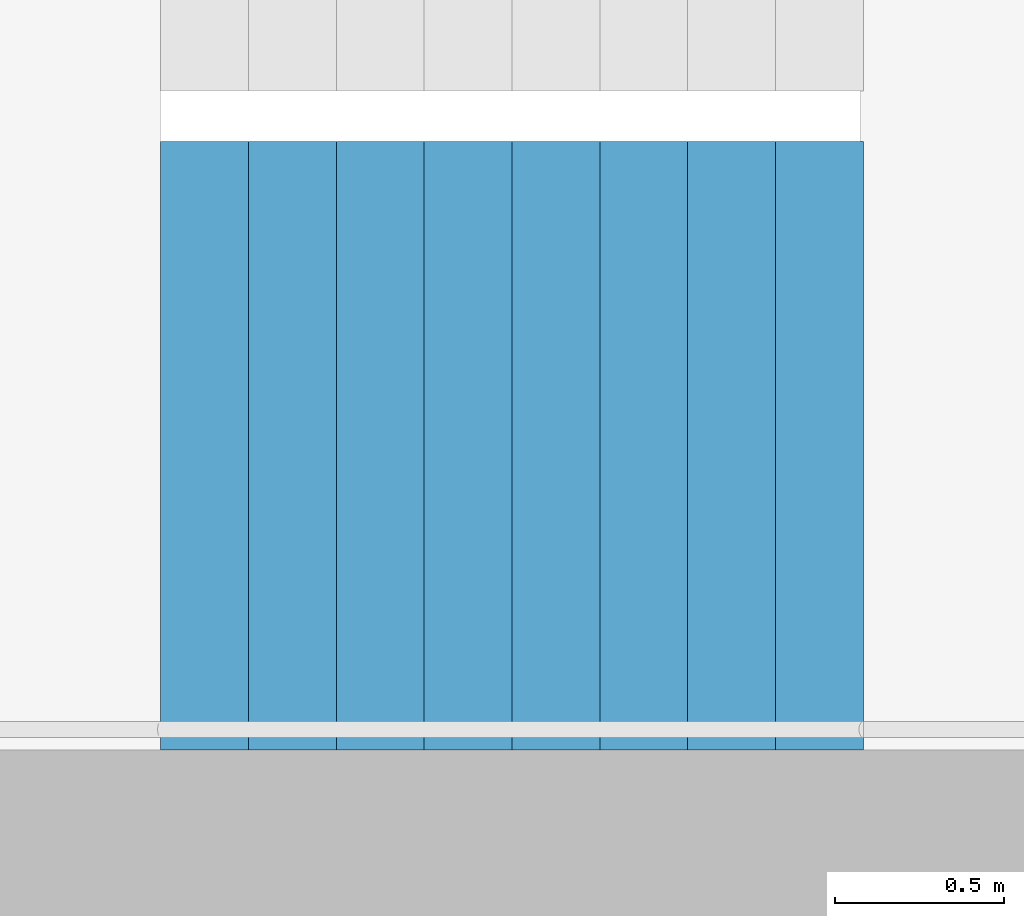
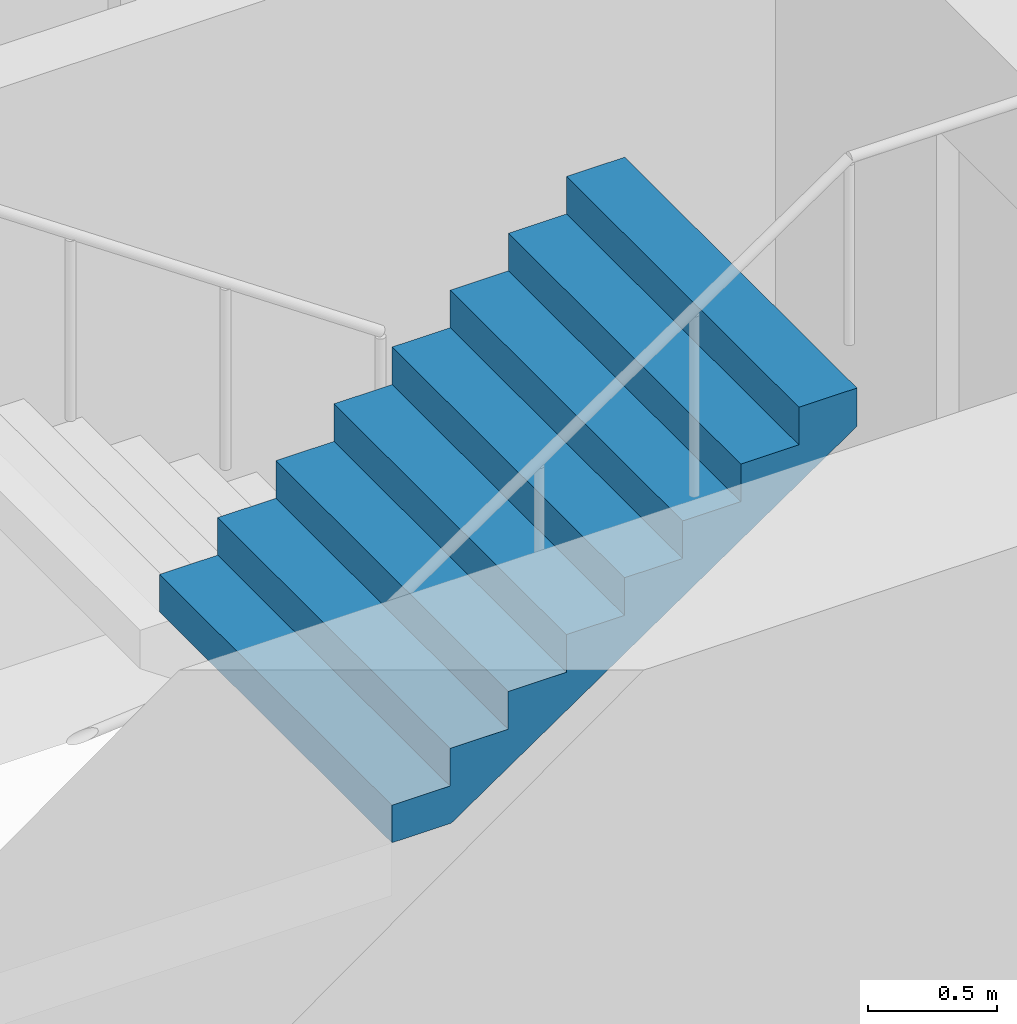
# One storey, part 18 of 26: 1 stair flight, 1 element without a shape of its own.
"""IFC4 building model written with IfcOpenShell, lengths in metres."""

from ifc_helpers import new_model, si_unit, direction, frame, origin, place, context, subcontext, project, spatial, triangles, material, type_object, element, aggregate, save


model = new_model("IFC4")

# Units and contexts
model_context = context("Model", 3, precision=1e-05, world=origin(), true_north=direction((0.0, 1.0)))
body_context = subcontext(model_context, "Body", "Model", "MODEL_VIEW")
ifc_project = project(units=[si_unit("LENGTHUNIT", "METRE"), si_unit("AREAUNIT", "SQUARE_METRE"), si_unit("VOLUMEUNIT", "CUBIC_METRE"), si_unit("PLANEANGLEUNIT", "RADIAN"), si_unit("MASSUNIT", "GRAM", prefix="KILO")], contexts=[model_context])

# Site, building, storey
site_placement = place(None, origin())
site = spatial("IfcSite", under=ifc_project, at=site_placement, CompositionType="ELEMENT")
building_placement = place(site_placement, origin())
building = spatial("IfcBuilding", under=site, at=building_placement, Name="Hakoniwa Tower and Hamabe Station Hall", CompositionType="ELEMENT")
storey_placement = place(building_placement, frame((0.0, 0.0, 221.800048828125)))
storey = spatial("IfcBuildingStorey", under=building, at=storey_placement, Name="L63", CompositionType="ELEMENT", Elevation=221.800048828125)

# Stair, stair flight
ifc_material_1 = material(Name="Concrete C40", Category="concrete")
stair_type = type_object("IfcStairType", Name="ESCAPE STAIR 1800", PredefinedType="HALF_TURN_STAIR", material=ifc_material_1)
stair_placement = place(storey_placement, origin())
stair = element("IfcStair", 1, at=stair_placement, inside=storey, type_object=stair_type, Name="Escape stair ST-2 L63", PredefinedType="HALF_TURN_STAIR")
ifc_material_2 = material(Name="Concrete C40", Category="concrete")
stair_flight_type = type_object("IfcStairFlightType", Name="STAIR FLIGHT 1800", PredefinedType="STRAIGHT", material=ifc_material_2)
stair_flight_placement = place(storey_placement, frame((-25.47998046875, -6.60009765625, 1.599853515625), z_axis=(0.0, 0.0, 1.0), x_axis=(1.0, 0.0, 0.0)))
stair_flight = element("IfcStairFlight", 2, at=stair_flight_placement, type_object=stair_flight_type, Name="ST-2 flight 2", NumberOfRisers=9, NumberOfTreads=8, PredefinedType="STRAIGHT", RiserHeight=0.177777778, TreadLength=0.26, context=body_context, shape_type="Tessellation", body=[
    triangles([(0.0, 0.89990234375, 0.0), (0.260009765625, 0.89990234375, 0.0), (0.265625, 0.89990234375, 0.0), (0.52001953125, 0.89990234375, 0.174072265625), (0.780029296875, 0.89990234375, 0.351806640625), (1.0400390625, 0.89990234375, 0.529541015625), (1.300048828125, 0.89990234375, 0.707275390625), (1.56005859375, 0.89990234375, 0.885009765625), (1.820068359375, 0.89990234375, 1.062744140625), (2.080078125, 0.89990234375, 1.24072265625), (2.080078125, 0.89990234375, 1.422119140625), (1.820068359375, 0.89990234375, 1.422119140625), (1.820068359375, 0.89990234375, 1.244384765625), (1.56005859375, 0.89990234375, 1.244384765625), (1.56005859375, 0.89990234375, 1.066650390625), (1.300048828125, 0.89990234375, 1.066650390625), (1.300048828125, 0.89990234375, 0.888916015625), (1.0400390625, 0.89990234375, 0.888916015625), (1.0400390625, 0.89990234375, 0.711181640625), (0.780029296875, 0.89990234375, 0.711181640625), (0.780029296875, 0.89990234375, 0.533447265625), (0.52001953125, 0.89990234375, 0.533447265625), (0.52001953125, 0.89990234375, 0.35546875), (0.265625, 0.89990234375, 0.35546875), (0.260009765625, 0.89990234375, 0.35546875), (0.260009765625, 0.89990234375, 0.177734375), (0.0, 0.89990234375, 0.177734375), (0.0, 0.06005859375, 0.0), (0.260009765625, 0.06005859375, 0.0), (0.265625, 0.06005859375, 0.0), (0.52001953125, 0.06005859375, 0.174072265625), (0.780029296875, 0.06005859375, 0.351806640625), (1.0400390625, 0.06005859375, 0.529541015625), (1.300048828125, 0.06005859375, 0.707275390625), (1.56005859375, 0.06005859375, 0.885009765625), (1.820068359375, 0.06005859375, 1.062744140625), (2.080078125, 0.06005859375, 1.24072265625), (2.080078125, 0.06005859375, 1.422119140625), (1.820068359375, 0.06005859375, 1.422119140625), (1.820068359375, 0.06005859375, 1.244384765625), (1.56005859375, 0.06005859375, 1.244384765625), (1.56005859375, 0.06005859375, 1.066650390625), (1.300048828125, 0.06005859375, 1.066650390625), (1.300048828125, 0.06005859375, 0.888916015625), (1.0400390625, 0.06005859375, 0.888916015625), (1.0400390625, 0.06005859375, 0.711181640625), (0.780029296875, 0.06005859375, 0.711181640625), (0.780029296875, 0.06005859375, 0.533447265625), (0.52001953125, 0.06005859375, 0.533447265625), (0.52001953125, 0.06005859375, 0.35546875), (0.265625, 0.06005859375, 0.35546875), (0.260009765625, 0.06005859375, 0.35546875), (0.260009765625, 0.06005859375, 0.177734375), (0.0, 0.06005859375, 0.177734375), (0.0, 0.04296875, 0.0), (0.260009765625, 0.04296875, 0.0), (0.265625, 0.04296875, 0.0), (0.52001953125, 0.04296875, 0.174072265625), (0.780029296875, 0.04296875, 0.351806640625), (1.0400390625, 0.04296875, 0.529541015625), (1.300048828125, 0.04296875, 0.707275390625), (1.56005859375, 0.04296875, 0.885009765625), (1.820068359375, 0.04296875, 1.062744140625), (2.080078125, 0.04296875, 1.24072265625), (2.080078125, 0.04296875, 1.422119140625), (1.820068359375, 0.04296875, 1.422119140625), (1.820068359375, 0.04296875, 1.244384765625), (1.56005859375, 0.04296875, 1.244384765625), (1.56005859375, 0.04296875, 1.066650390625), (1.300048828125, 0.04296875, 1.066650390625), (1.300048828125, 0.04296875, 0.888916015625), (1.0400390625, 0.04296875, 0.888916015625), (1.0400390625, 0.04296875, 0.711181640625), (0.780029296875, 0.04296875, 0.711181640625), (0.780029296875, 0.04296875, 0.533447265625), (0.52001953125, 0.04296875, 0.533447265625), (0.52001953125, 0.04296875, 0.35546875), (0.265625, 0.04296875, 0.35546875), (0.260009765625, 0.04296875, 0.35546875), (0.260009765625, 0.04296875, 0.177734375), (0.0, 0.04296875, 0.177734375), (0.0, 0.025634765625, 0.0), (0.260009765625, 0.025634765625, 0.0), (0.265625, 0.025634765625, 0.0), (0.52001953125, 0.025634765625, 0.174072265625), (0.780029296875, 0.025634765625, 0.351806640625), (1.0400390625, 0.025634765625, 0.529541015625), (1.300048828125, 0.025634765625, 0.707275390625), (1.56005859375, 0.025634765625, 0.885009765625), (1.820068359375, 0.025634765625, 1.062744140625), (2.080078125, 0.025634765625, 1.24072265625), (2.080078125, 0.025634765625, 1.422119140625), (1.820068359375, 0.025634765625, 1.422119140625), (1.820068359375, 0.025634765625, 1.244384765625), (1.56005859375, 0.025634765625, 1.244384765625), (1.56005859375, 0.025634765625, 1.066650390625), (1.300048828125, 0.025634765625, 1.066650390625), (1.300048828125, 0.025634765625, 0.888916015625), (1.0400390625, 0.025634765625, 0.888916015625), (1.0400390625, 0.025634765625, 0.711181640625), (0.780029296875, 0.025634765625, 0.711181640625), (0.780029296875, 0.025634765625, 0.533447265625), (0.52001953125, 0.025634765625, 0.533447265625), (0.52001953125, 0.025634765625, 0.35546875), (0.265625, 0.025634765625, 0.35546875), (0.260009765625, 0.025634765625, 0.35546875), (0.260009765625, 0.025634765625, 0.177734375), (0.0, 0.025634765625, 0.177734375), (0.0, 0.008544921875, 0.0), (0.260009765625, 0.008544921875, 0.0), (0.265625, 0.008544921875, 0.0), (0.52001953125, 0.008544921875, 0.174072265625), (0.780029296875, 0.008544921875, 0.351806640625), (1.0400390625, 0.008544921875, 0.529541015625), (1.300048828125, 0.008544921875, 0.707275390625), (1.56005859375, 0.008544921875, 0.885009765625), (1.820068359375, 0.008544921875, 1.062744140625), (2.080078125, 0.008544921875, 1.24072265625), (2.080078125, 0.008544921875, 1.422119140625), (1.820068359375, 0.008544921875, 1.422119140625), (1.820068359375, 0.008544921875, 1.244384765625), (1.56005859375, 0.008544921875, 1.244384765625), (1.56005859375, 0.008544921875, 1.066650390625), (1.300048828125, 0.008544921875, 1.066650390625), (1.300048828125, 0.008544921875, 0.888916015625), (1.0400390625, 0.008544921875, 0.888916015625), (1.0400390625, 0.008544921875, 0.711181640625), (0.780029296875, 0.008544921875, 0.711181640625), (0.780029296875, 0.008544921875, 0.533447265625), (0.52001953125, 0.008544921875, 0.533447265625), (0.52001953125, 0.008544921875, 0.35546875), (0.265625, 0.008544921875, 0.35546875), (0.260009765625, 0.008544921875, 0.35546875), (0.260009765625, 0.008544921875, 0.177734375), (0.0, 0.008544921875, 0.177734375), (0.0, -0.008544921875, 0.0), (0.260009765625, -0.008544921875, 0.0), (0.265625, -0.008544921875, 0.0), (0.52001953125, -0.008544921875, 0.174072265625), (0.780029296875, -0.008544921875, 0.351806640625), (1.0400390625, -0.008544921875, 0.529541015625), (1.300048828125, -0.008544921875, 0.707275390625), (1.56005859375, -0.008544921875, 0.885009765625), (1.820068359375, -0.008544921875, 1.062744140625), (2.080078125, -0.008544921875, 1.24072265625), (2.080078125, -0.008544921875, 1.422119140625), (1.820068359375, -0.008544921875, 1.422119140625), (1.820068359375, -0.008544921875, 1.244384765625), (1.56005859375, -0.008544921875, 1.244384765625), (1.56005859375, -0.008544921875, 1.066650390625), (1.300048828125, -0.008544921875, 1.066650390625), (1.300048828125, -0.008544921875, 0.888916015625), (1.0400390625, -0.008544921875, 0.888916015625), (1.0400390625, -0.008544921875, 0.711181640625), (0.780029296875, -0.008544921875, 0.711181640625), (0.780029296875, -0.008544921875, 0.533447265625), (0.52001953125, -0.008544921875, 0.533447265625), (0.52001953125, -0.008544921875, 0.35546875), (0.265625, -0.008544921875, 0.35546875), (0.260009765625, -0.008544921875, 0.35546875), (0.260009765625, -0.008544921875, 0.177734375), (0.0, -0.008544921875, 0.177734375), (0.0, -0.025634765625, 0.0), (0.260009765625, -0.025634765625, 0.0), (0.265625, -0.025634765625, 0.0), (0.52001953125, -0.025634765625, 0.174072265625), (0.780029296875, -0.025634765625, 0.351806640625), (1.0400390625, -0.025634765625, 0.529541015625), (1.300048828125, -0.025634765625, 0.707275390625), (1.56005859375, -0.025634765625, 0.885009765625), (1.820068359375, -0.025634765625, 1.062744140625), (2.080078125, -0.025634765625, 1.24072265625), (2.080078125, -0.025634765625, 1.422119140625), (1.820068359375, -0.025634765625, 1.422119140625), (1.820068359375, -0.025634765625, 1.244384765625), (1.56005859375, -0.025634765625, 1.244384765625), (1.56005859375, -0.025634765625, 1.066650390625), (1.300048828125, -0.025634765625, 1.066650390625), (1.300048828125, -0.025634765625, 0.888916015625), (1.0400390625, -0.025634765625, 0.888916015625), (1.0400390625, -0.025634765625, 0.711181640625), (0.780029296875, -0.025634765625, 0.711181640625), (0.780029296875, -0.025634765625, 0.533447265625), (0.52001953125, -0.025634765625, 0.533447265625), (0.52001953125, -0.025634765625, 0.35546875), (0.265625, -0.025634765625, 0.35546875), (0.260009765625, -0.025634765625, 0.35546875), (0.260009765625, -0.025634765625, 0.177734375), (0.0, -0.025634765625, 0.177734375), (0.0, -0.04296875, 0.0), (0.260009765625, -0.04296875, 0.0), (0.265625, -0.04296875, 0.0), (0.52001953125, -0.04296875, 0.174072265625), (0.780029296875, -0.04296875, 0.351806640625), (1.0400390625, -0.04296875, 0.529541015625), (1.300048828125, -0.04296875, 0.707275390625), (1.56005859375, -0.04296875, 0.885009765625), (1.820068359375, -0.04296875, 1.062744140625), (2.080078125, -0.04296875, 1.24072265625), (2.080078125, -0.04296875, 1.422119140625), (1.820068359375, -0.04296875, 1.422119140625), (1.820068359375, -0.04296875, 1.244384765625), (1.56005859375, -0.04296875, 1.244384765625), (1.56005859375, -0.04296875, 1.066650390625), (1.300048828125, -0.04296875, 1.066650390625), (1.300048828125, -0.04296875, 0.888916015625), (1.0400390625, -0.04296875, 0.888916015625), (1.0400390625, -0.04296875, 0.711181640625), (0.780029296875, -0.04296875, 0.711181640625), (0.780029296875, -0.04296875, 0.533447265625), (0.52001953125, -0.04296875, 0.533447265625), (0.52001953125, -0.04296875, 0.35546875), (0.265625, -0.04296875, 0.35546875), (0.260009765625, -0.04296875, 0.35546875), (0.260009765625, -0.04296875, 0.177734375), (0.0, -0.04296875, 0.177734375), (0.0, -0.06005859375, 0.0), (0.260009765625, -0.06005859375, 0.0), (0.265625, -0.06005859375, 0.0), (0.52001953125, -0.06005859375, 0.174072265625), (0.780029296875, -0.06005859375, 0.351806640625), (1.0400390625, -0.06005859375, 0.529541015625), (1.300048828125, -0.06005859375, 0.707275390625), (1.56005859375, -0.06005859375, 0.885009765625), (1.820068359375, -0.06005859375, 1.062744140625), (2.080078125, -0.06005859375, 1.24072265625), (2.080078125, -0.06005859375, 1.422119140625), (1.820068359375, -0.06005859375, 1.422119140625), (1.820068359375, -0.06005859375, 1.244384765625), (1.56005859375, -0.06005859375, 1.244384765625), (1.56005859375, -0.06005859375, 1.066650390625), (1.300048828125, -0.06005859375, 1.066650390625), (1.300048828125, -0.06005859375, 0.888916015625), (1.0400390625, -0.06005859375, 0.888916015625), (1.0400390625, -0.06005859375, 0.711181640625), (0.780029296875, -0.06005859375, 0.711181640625), (0.780029296875, -0.06005859375, 0.533447265625), (0.52001953125, -0.06005859375, 0.533447265625), (0.52001953125, -0.06005859375, 0.35546875), (0.265625, -0.06005859375, 0.35546875), (0.260009765625, -0.06005859375, 0.35546875), (0.260009765625, -0.06005859375, 0.177734375), (0.0, -0.06005859375, 0.177734375), (0.0, -0.89990234375, 0.0), (0.260009765625, -0.89990234375, 0.0), (0.265625, -0.89990234375, 0.0), (0.52001953125, -0.89990234375, 0.174072265625), (0.780029296875, -0.89990234375, 0.351806640625), (1.0400390625, -0.89990234375, 0.529541015625), (1.300048828125, -0.89990234375, 0.707275390625), (1.56005859375, -0.89990234375, 0.885009765625), (1.820068359375, -0.89990234375, 1.062744140625), (2.080078125, -0.89990234375, 1.24072265625), (2.080078125, -0.89990234375, 1.422119140625), (1.820068359375, -0.89990234375, 1.422119140625), (1.820068359375, -0.89990234375, 1.244384765625), (1.56005859375, -0.89990234375, 1.244384765625), (1.56005859375, -0.89990234375, 1.066650390625), (1.300048828125, -0.89990234375, 1.066650390625), (1.300048828125, -0.89990234375, 0.888916015625), (1.0400390625, -0.89990234375, 0.888916015625), (1.0400390625, -0.89990234375, 0.711181640625), (0.780029296875, -0.89990234375, 0.711181640625), (0.780029296875, -0.89990234375, 0.533447265625), (0.52001953125, -0.89990234375, 0.533447265625), (0.52001953125, -0.89990234375, 0.35546875), (0.265625, -0.89990234375, 0.35546875), (0.260009765625, -0.89990234375, 0.35546875), (0.260009765625, -0.89990234375, 0.177734375), (0.0, -0.89990234375, 0.177734375)], [[2, 27, 26], [245, 269, 270], [2, 1, 27], [245, 270, 244], [3, 25, 24], [246, 267, 268], [3, 26, 25], [246, 268, 269], [3, 2, 26], [246, 269, 245], [4, 24, 23], [247, 266, 267], [4, 3, 24], [247, 267, 246], [5, 22, 21], [248, 264, 265], [5, 23, 22], [248, 265, 266], [5, 4, 23], [248, 266, 247], [6, 20, 19], [249, 262, 263], [6, 21, 20], [249, 263, 264], [6, 5, 21], [249, 264, 248], [7, 18, 17], [250, 260, 261], [7, 19, 18], [250, 261, 262], [7, 6, 19], [250, 262, 249], [8, 16, 15], [251, 258, 259], [8, 17, 16], [251, 259, 260], [8, 7, 17], [251, 260, 250], [9, 14, 13], [252, 256, 257], [9, 15, 14], [252, 257, 258], [9, 8, 15], [252, 258, 251], [10, 12, 11], [253, 254, 255], [10, 13, 12], [253, 255, 256], [10, 9, 13], [253, 256, 252], [1, 2, 29], [1, 29, 28], [28, 29, 56], [28, 56, 55], [55, 56, 83], [55, 83, 82], [82, 83, 110], [82, 110, 109], [109, 110, 137], [109, 137, 136], [136, 137, 164], [136, 164, 163], [163, 164, 191], [163, 191, 190], [190, 191, 218], [190, 218, 217], [217, 218, 245], [217, 245, 244], [2, 3, 30], [2, 30, 29], [29, 30, 57], [29, 57, 56], [56, 57, 84], [56, 84, 83], [83, 84, 111], [83, 111, 110], [110, 111, 138], [110, 138, 137], [137, 138, 165], [137, 165, 164], [164, 165, 192], [164, 192, 191], [191, 192, 219], [191, 219, 218], [218, 219, 246], [218, 246, 245], [3, 4, 31], [3, 31, 30], [30, 31, 58], [30, 58, 57], [57, 58, 85], [57, 85, 84], [84, 85, 112], [84, 112, 111], [111, 112, 139], [111, 139, 138], [138, 139, 166], [138, 166, 165], [165, 166, 193], [165, 193, 192], [192, 193, 220], [192, 220, 219], [219, 220, 247], [219, 247, 246], [4, 5, 32], [4, 32, 31], [31, 32, 59], [31, 59, 58], [58, 59, 86], [58, 86, 85], [85, 86, 113], [85, 113, 112], [112, 113, 140], [112, 140, 139], [139, 140, 167], [139, 167, 166], [166, 167, 194], [166, 194, 193], [193, 194, 221], [193, 221, 220], [220, 221, 248], [220, 248, 247], [5, 6, 33], [5, 33, 32], [32, 33, 60], [32, 60, 59], [59, 60, 87], [59, 87, 86], [86, 87, 114], [86, 114, 113], [113, 114, 141], [113, 141, 140], [140, 141, 168], [140, 168, 167], [167, 168, 195], [167, 195, 194], [194, 195, 222], [194, 222, 221], [221, 222, 249], [221, 249, 248], [6, 7, 34], [6, 34, 33], [33, 34, 61], [33, 61, 60], [60, 61, 88], [60, 88, 87], [87, 88, 115], [87, 115, 114], [114, 115, 142], [114, 142, 141], [141, 142, 169], [141, 169, 168], [168, 169, 196], [168, 196, 195], [195, 196, 223], [195, 223, 222], [222, 223, 250], [222, 250, 249], [7, 8, 35], [7, 35, 34], [34, 35, 62], [34, 62, 61], [61, 62, 89], [61, 89, 88], [88, 89, 116], [88, 116, 115], [115, 116, 143], [115, 143, 142], [142, 143, 170], [142, 170, 169], [169, 170, 197], [169, 197, 196], [196, 197, 224], [196, 224, 223], [223, 224, 251], [223, 251, 250], [8, 9, 36], [8, 36, 35], [35, 36, 63], [35, 63, 62], [62, 63, 90], [62, 90, 89], [89, 90, 117], [89, 117, 116], [116, 117, 144], [116, 144, 143], [143, 144, 171], [143, 171, 170], [170, 171, 198], [170, 198, 197], [197, 198, 225], [197, 225, 224], [224, 225, 252], [224, 252, 251], [9, 10, 37], [9, 37, 36], [36, 37, 64], [36, 64, 63], [63, 64, 91], [63, 91, 90], [90, 91, 118], [90, 118, 117], [117, 118, 145], [117, 145, 144], [144, 145, 172], [144, 172, 171], [171, 172, 199], [171, 199, 198], [198, 199, 226], [198, 226, 225], [225, 226, 253], [225, 253, 252], [10, 11, 38], [10, 38, 37], [37, 38, 65], [37, 65, 64], [64, 65, 92], [64, 92, 91], [91, 92, 119], [91, 119, 118], [118, 119, 146], [118, 146, 145], [145, 146, 173], [145, 173, 172], [172, 173, 200], [172, 200, 199], [199, 200, 227], [199, 227, 226], [226, 227, 254], [226, 254, 253], [11, 12, 39], [11, 39, 38], [38, 39, 66], [38, 66, 65], [65, 66, 93], [65, 93, 92], [92, 93, 120], [92, 120, 119], [119, 120, 147], [119, 147, 146], [146, 147, 174], [146, 174, 173], [173, 174, 201], [173, 201, 200], [200, 201, 228], [200, 228, 227], [227, 228, 255], [227, 255, 254], [12, 13, 40], [12, 40, 39], [39, 40, 67], [39, 67, 66], [66, 67, 94], [66, 94, 93], [93, 94, 121], [93, 121, 120], [120, 121, 148], [120, 148, 147], [147, 148, 175], [147, 175, 174], [174, 175, 202], [174, 202, 201], [201, 202, 229], [201, 229, 228], [228, 229, 256], [228, 256, 255], [13, 14, 41], [13, 41, 40], [40, 41, 68], [40, 68, 67], [67, 68, 95], [67, 95, 94], [94, 95, 122], [94, 122, 121], [121, 122, 149], [121, 149, 148], [148, 149, 176], [148, 176, 175], [175, 176, 203], [175, 203, 202], [202, 203, 230], [202, 230, 229], [229, 230, 257], [229, 257, 256], [14, 15, 42], [14, 42, 41], [41, 42, 69], [41, 69, 68], [68, 69, 96], [68, 96, 95], [95, 96, 123], [95, 123, 122], [122, 123, 150], [122, 150, 149], [149, 150, 177], [149, 177, 176], [176, 177, 204], [176, 204, 203], [203, 204, 231], [203, 231, 230], [230, 231, 258], [230, 258, 257], [15, 16, 43], [15, 43, 42], [42, 43, 70], [42, 70, 69], [69, 70, 97], [69, 97, 96], [96, 97, 124], [96, 124, 123], [123, 124, 151], [123, 151, 150], [150, 151, 178], [150, 178, 177], [177, 178, 205], [177, 205, 204], [204, 205, 232], [204, 232, 231], [231, 232, 259], [231, 259, 258], [16, 17, 44], [16, 44, 43], [43, 44, 71], [43, 71, 70], [70, 71, 98], [70, 98, 97], [97, 98, 125], [97, 125, 124], [124, 125, 152], [124, 152, 151], [151, 152, 179], [151, 179, 178], [178, 179, 206], [178, 206, 205], [205, 206, 233], [205, 233, 232], [232, 233, 260], [232, 260, 259], [17, 18, 45], [17, 45, 44], [44, 45, 72], [44, 72, 71], [71, 72, 99], [71, 99, 98], [98, 99, 126], [98, 126, 125], [125, 126, 153], [125, 153, 152], [152, 153, 180], [152, 180, 179], [179, 180, 207], [179, 207, 206], [206, 207, 234], [206, 234, 233], [233, 234, 261], [233, 261, 260], [18, 19, 46], [18, 46, 45], [45, 46, 73], [45, 73, 72], [72, 73, 100], [72, 100, 99], [99, 100, 127], [99, 127, 126], [126, 127, 154], [126, 154, 153], [153, 154, 181], [153, 181, 180], [180, 181, 208], [180, 208, 207], [207, 208, 235], [207, 235, 234], [234, 235, 262], [234, 262, 261], [19, 20, 47], [19, 47, 46], [46, 47, 74], [46, 74, 73], [73, 74, 101], [73, 101, 100], [100, 101, 128], [100, 128, 127], [127, 128, 155], [127, 155, 154], [154, 155, 182], [154, 182, 181], [181, 182, 209], [181, 209, 208], [208, 209, 236], [208, 236, 235], [235, 236, 263], [235, 263, 262], [20, 21, 48], [20, 48, 47], [47, 48, 75], [47, 75, 74], [74, 75, 102], [74, 102, 101], [101, 102, 129], [101, 129, 128], [128, 129, 156], [128, 156, 155], [155, 156, 183], [155, 183, 182], [182, 183, 210], [182, 210, 209], [209, 210, 237], [209, 237, 236], [236, 237, 264], [236, 264, 263], [21, 22, 49], [21, 49, 48], [48, 49, 76], [48, 76, 75], [75, 76, 103], [75, 103, 102], [102, 103, 130], [102, 130, 129], [129, 130, 157], [129, 157, 156], [156, 157, 184], [156, 184, 183], [183, 184, 211], [183, 211, 210], [210, 211, 238], [210, 238, 237], [237, 238, 265], [237, 265, 264], [22, 23, 50], [22, 50, 49], [49, 50, 77], [49, 77, 76], [76, 77, 104], [76, 104, 103], [103, 104, 131], [103, 131, 130], [130, 131, 158], [130, 158, 157], [157, 158, 185], [157, 185, 184], [184, 185, 212], [184, 212, 211], [211, 212, 239], [211, 239, 238], [238, 239, 266], [238, 266, 265], [23, 24, 51], [23, 51, 50], [50, 51, 78], [50, 78, 77], [77, 78, 105], [77, 105, 104], [104, 105, 132], [104, 132, 131], [131, 132, 159], [131, 159, 158], [158, 159, 186], [158, 186, 185], [185, 186, 213], [185, 213, 212], [212, 213, 240], [212, 240, 239], [239, 240, 267], [239, 267, 266], [24, 25, 52], [24, 52, 51], [51, 52, 79], [51, 79, 78], [78, 79, 106], [78, 106, 105], [105, 106, 133], [105, 133, 132], [132, 133, 160], [132, 160, 159], [159, 160, 187], [159, 187, 186], [186, 187, 214], [186, 214, 213], [213, 214, 241], [213, 241, 240], [240, 241, 268], [240, 268, 267], [25, 26, 53], [25, 53, 52], [52, 53, 80], [52, 80, 79], [79, 80, 107], [79, 107, 106], [106, 107, 134], [106, 134, 133], [133, 134, 161], [133, 161, 160], [160, 161, 188], [160, 188, 187], [187, 188, 215], [187, 215, 214], [214, 215, 242], [214, 242, 241], [241, 242, 269], [241, 269, 268], [26, 27, 54], [26, 54, 53], [53, 54, 81], [53, 81, 80], [80, 81, 108], [80, 108, 107], [107, 108, 135], [107, 135, 134], [134, 135, 162], [134, 162, 161], [161, 162, 189], [161, 189, 188], [188, 189, 216], [188, 216, 215], [215, 216, 243], [215, 243, 242], [242, 243, 270], [242, 270, 269], [27, 1, 28], [27, 28, 54], [54, 28, 55], [54, 55, 81], [81, 55, 82], [81, 82, 108], [108, 82, 109], [108, 109, 135], [135, 109, 136], [135, 136, 162], [162, 136, 163], [162, 163, 189], [189, 163, 190], [189, 190, 216], [216, 190, 217], [216, 217, 243], [243, 217, 244], [243, 244, 270]], closed=True),
])
aggregate(stair, [stair_flight])

save(model, "model.ifc")
